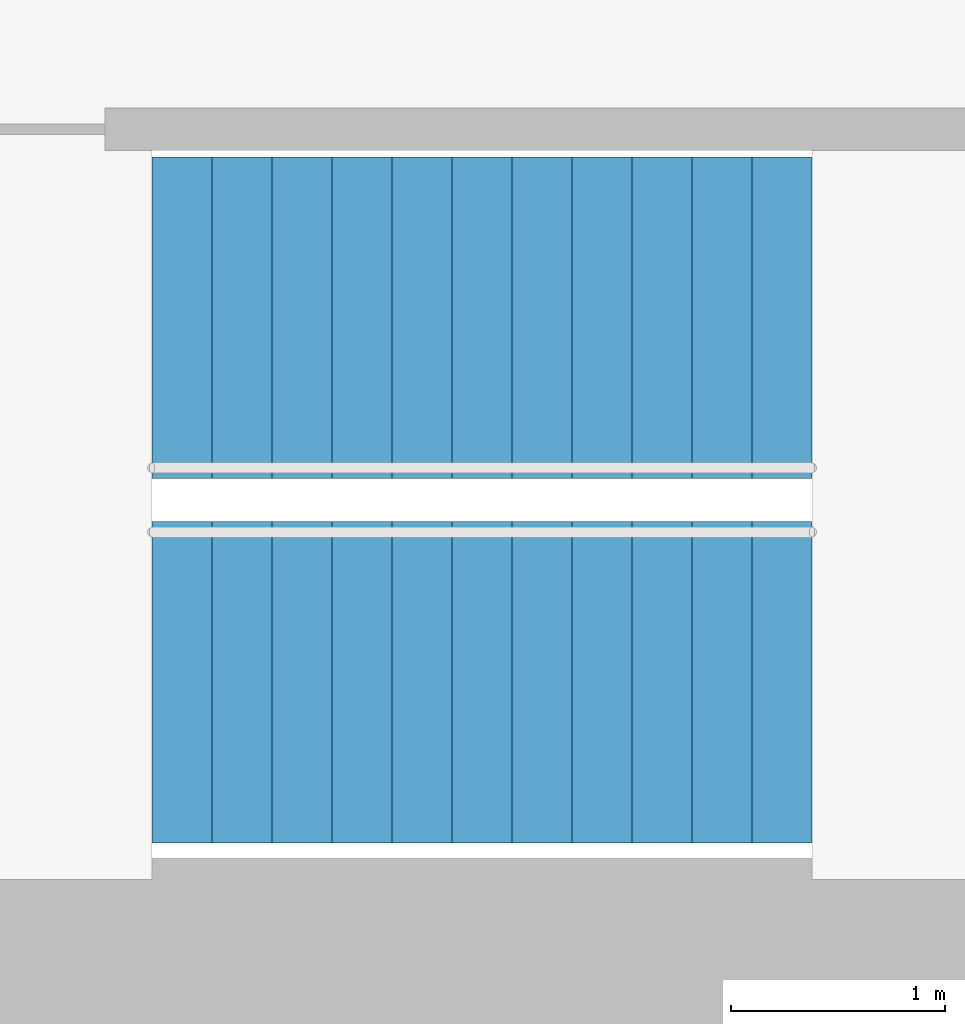
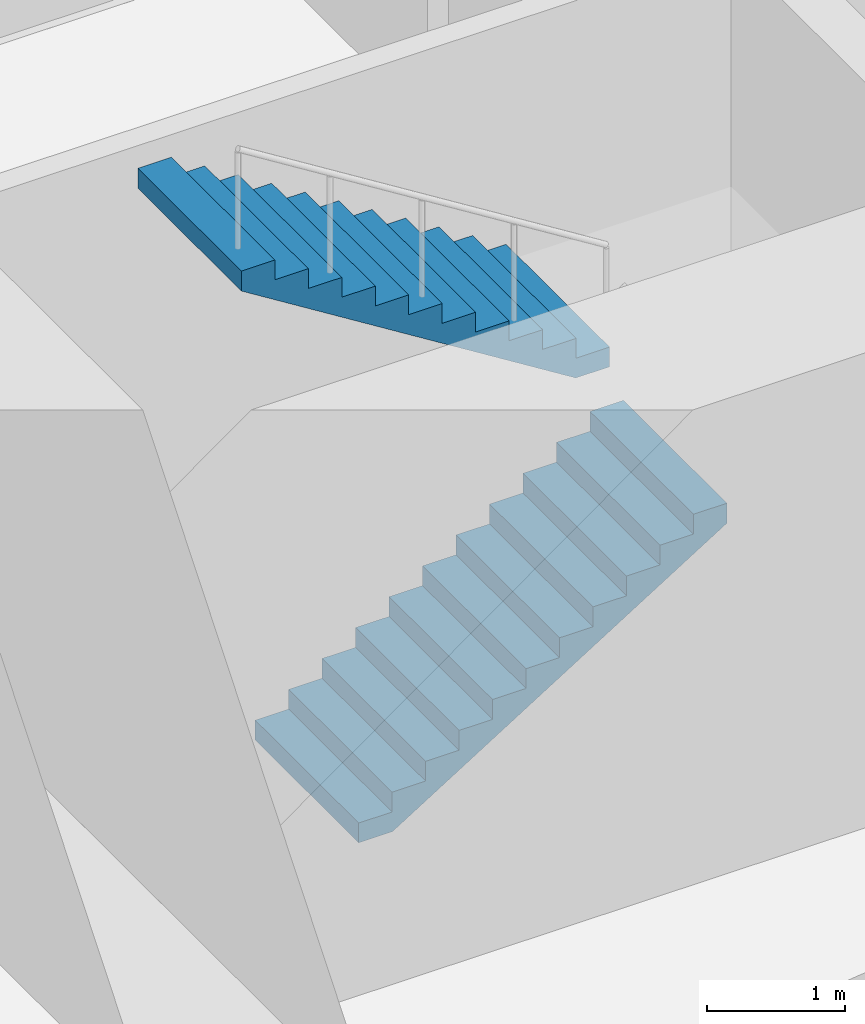
# One storey, part 16 of 18: 2 stair flights, 1 element without a shape of its own.
"""IFC4 building model written with IfcOpenShell, lengths in metres."""

from ifc_helpers import new_model, si_unit, direction, frame, origin, place, context, subcontext, project, spatial, triangles, material, type_object, element, aggregate, save


model = new_model("IFC4")

# Units and contexts
model_context = context("Model", 3, precision=1e-05, world=origin(), true_north=direction((0.0, 1.0)))
body_context = subcontext(model_context, "Body", "Model", "MODEL_VIEW")
ifc_project = project(units=[si_unit("LENGTHUNIT", "METRE"), si_unit("AREAUNIT", "SQUARE_METRE"), si_unit("VOLUMEUNIT", "CUBIC_METRE"), si_unit("PLANEANGLEUNIT", "RADIAN"), si_unit("MASSUNIT", "GRAM", prefix="KILO")], contexts=[model_context])

# Site, building, storey
site_placement = place(None, origin())
site = spatial("IfcSite", under=ifc_project, at=site_placement, CompositionType="ELEMENT")
building_placement = place(site_placement, origin())
building = spatial("IfcBuilding", under=site, at=building_placement, Name="Lantaw Convention Tower", CompositionType="ELEMENT")
storey_placement = place(building_placement, frame((0.0, 0.0, 134.199951171875)))
storey = spatial("IfcBuildingStorey", under=building, at=storey_placement, Name="L31", CompositionType="ELEMENT", Elevation=134.199951171875)

# Stair, stair flights
ifc_material = material(Name="Concrete C35/45", Category="concrete")
stair_type = type_object("IfcStairType", Name="Exit stair 1500 riser 175 in 2 flights", PredefinedType="HALF_TURN_STAIR", material=ifc_material)
stair_placement = place(storey_placement, origin())
stair = element("IfcStair", 1, at=stair_placement, inside=storey, type_object=stair_type, Name="Exit stair S1 L31", PredefinedType="HALF_TURN_STAIR")
stair_flight_type = type_object("IfcStairFlightType", Name="Stair flight 1500 riser 175", PredefinedType="STRAIGHT", material=ifc_material)
stair_flight_1_placement = place(storey_placement, frame((-10.580078125, -5.97998046875, 0.0), z_axis=(0.0, 0.0, 1.0), x_axis=(1.0, 0.0, 0.0)))
stair_flight_1 = element("IfcStairFlight", 2, at=stair_flight_1_placement, type_object=stair_flight_type, Name="S1 flight 1", NumberOfRisers=12, NumberOfTreads=11, PredefinedType="STRAIGHT", RiserHeight=0.175, TreadLength=0.28, context=body_context, shape_type="Tessellation", body=[
    triangles([(0.0, 0.75, 0.0), (0.0, 0.75, 0.175), (0.28, 0.75, 0.0), (0.28, 0.75, 0.175), (0.28, 0.75, 0.35), (0.28283517651771284, 0.75, 0.0), (0.28283517651771284, 0.75, 0.35), (0.56, 0.75, 0.17322801467642948), (0.56, 0.75, 0.35), (0.56, 0.75, 0.5249999999999999), (0.8400000000000001, 0.75, 0.34822801467642944), (0.8400000000000001, 0.75, 0.5249999999999999), (0.8400000000000001, 0.75, 0.7), (1.12, 0.75, 0.5232280146764294), (1.12, 0.75, 0.7), (1.12, 0.75, 0.875), (1.4000000000000001, 0.75, 0.6982280146764295), (1.4000000000000001, 0.75, 0.875), (1.4000000000000001, 0.75, 1.0499999999999998), (1.6800000000000002, 0.75, 0.8732280146764294), (1.6800000000000002, 0.75, 1.0499999999999998), (1.6800000000000002, 0.75, 1.2249999999999999), (1.9600000000000002, 0.75, 1.0482280146764293), (1.9600000000000002, 0.75, 1.2249999999999999), (1.9600000000000002, 0.75, 1.4), (2.24, 0.75, 1.2232280146764294), (2.24, 0.75, 1.4), (2.24, 0.75, 1.575), (2.5200000000000005, 0.75, 1.3982280146764294), (2.5200000000000005, 0.75, 1.575), (2.5200000000000005, 0.75, 1.75), (2.8000000000000003, 0.75, 1.5732280146764293), (2.8000000000000003, 0.75, 1.75), (2.8000000000000003, 0.75, 1.9249999999999998), (3.08, 0.75, 1.7482280146764293), (3.08, 0.75, 1.9249999999999998), (0.0, -0.75, 0.0), (0.0, -0.75, 0.175), (0.28, -0.75, 0.0), (0.28, -0.75, 0.175), (0.28, -0.75, 0.35), (0.28283517651771284, -0.75, 0.0), (0.28283517651771284, -0.75, 0.35), (0.56, -0.75, 0.17322801467642948), (0.56, -0.75, 0.35), (0.56, -0.75, 0.5249999999999999), (0.8400000000000001, -0.75, 0.34822801467642944), (0.8400000000000001, -0.75, 0.5249999999999999), (0.8400000000000001, -0.75, 0.7), (1.12, -0.75, 0.5232280146764294), (1.12, -0.75, 0.7), (1.12, -0.75, 0.875), (1.4000000000000001, -0.75, 0.6982280146764295), (1.4000000000000001, -0.75, 0.875), (1.4000000000000001, -0.75, 1.0499999999999998), (1.6800000000000002, -0.75, 0.8732280146764294), (1.6800000000000002, -0.75, 1.0499999999999998), (1.6800000000000002, -0.75, 1.2249999999999999), (1.9600000000000002, -0.75, 1.0482280146764293), (1.9600000000000002, -0.75, 1.2249999999999999), (1.9600000000000002, -0.75, 1.4), (2.24, -0.75, 1.2232280146764294), (2.24, -0.75, 1.4), (2.24, -0.75, 1.575), (2.5200000000000005, -0.75, 1.3982280146764294), (2.5200000000000005, -0.75, 1.575), (2.5200000000000005, -0.75, 1.75), (2.8000000000000003, -0.75, 1.5732280146764293), (2.8000000000000003, -0.75, 1.75), (2.8000000000000003, -0.75, 1.9249999999999998), (3.08, -0.75, 1.7482280146764293), (3.08, -0.75, 1.9249999999999998), (0.0, 0.15000000000000002, 0.175), (0.0, 0.15000000000000002, 0.0), (0.0, 0.0, 0.175), (0.0, 0.0, 0.0), (0.0, -0.15000000000000002, 0.175), (0.0, -0.15000000000000002, 0.0), (0.28, 0.15000000000000002, 0.35), (0.28, 0.15000000000000002, 0.175), (0.28, 0.0, 0.35), (0.28, 0.0, 0.175), (0.28, -0.15000000000000002, 0.35), (0.28, -0.15000000000000002, 0.175), (0.56, 0.15000000000000002, 0.5249999999999999), (0.56, 0.15000000000000002, 0.35), (0.56, 0.0, 0.5249999999999999), (0.56, 0.0, 0.35), (0.56, -0.15000000000000002, 0.5249999999999999), (0.56, -0.15000000000000002, 0.35), (0.8400000000000001, 0.15000000000000002, 0.7), (0.8400000000000001, 0.15000000000000002, 0.5249999999999999), (0.8400000000000001, 0.0, 0.7), (0.8400000000000001, 0.0, 0.5249999999999999), (0.8400000000000001, -0.15000000000000002, 0.7), (0.8400000000000001, -0.15000000000000002, 0.5249999999999999), (1.12, 0.15000000000000002, 0.875), (1.12, 0.15000000000000002, 0.7), (1.12, 0.0, 0.875), (1.12, 0.0, 0.7), (1.12, -0.15000000000000002, 0.875), (1.12, -0.15000000000000002, 0.7), (1.4000000000000001, 0.15000000000000002, 1.0499999999999998), (1.4000000000000001, 0.15000000000000002, 0.875), (1.4000000000000001, 0.0, 1.0499999999999998), (1.4000000000000001, 0.0, 0.875), (1.4000000000000001, -0.15000000000000002, 1.0499999999999998), (1.4000000000000001, -0.15000000000000002, 0.875), (1.6800000000000002, 0.15000000000000002, 1.2249999999999999), (1.6800000000000002, 0.15000000000000002, 1.0499999999999998), (1.6800000000000002, 0.0, 1.2249999999999999), (1.6800000000000002, 0.0, 1.0499999999999998), (1.6800000000000002, -0.15000000000000002, 1.2249999999999999), (1.6800000000000002, -0.15000000000000002, 1.0499999999999998), (1.9600000000000002, 0.15000000000000002, 1.4), (1.9600000000000002, 0.15000000000000002, 1.2249999999999999), (1.9600000000000002, 0.0, 1.4), (1.9600000000000002, 0.0, 1.2249999999999999), (1.9600000000000002, -0.15000000000000002, 1.4), (1.9600000000000002, -0.15000000000000002, 1.2249999999999999), (2.24, 0.15000000000000002, 1.575), (2.24, 0.15000000000000002, 1.4), (2.24, 0.0, 1.575), (2.24, 0.0, 1.4), (2.24, -0.15000000000000002, 1.575), (2.24, -0.15000000000000002, 1.4), (2.5200000000000005, 0.15000000000000002, 1.75), (2.5200000000000005, 0.15000000000000002, 1.575), (2.5200000000000005, 0.0, 1.75), (2.5200000000000005, 0.0, 1.575), (2.5200000000000005, -0.15000000000000002, 1.75), (2.5200000000000005, -0.15000000000000002, 1.575), (2.8000000000000003, 0.15000000000000002, 1.9249999999999998), (2.8000000000000003, 0.15000000000000002, 1.75), (2.8000000000000003, 0.0, 1.9249999999999998), (2.8000000000000003, 0.0, 1.75), (2.8000000000000003, -0.15000000000000002, 1.9249999999999998), (2.8000000000000003, -0.15000000000000002, 1.75), (0.28283517651771284, 0.15000000000000002, 0.35), (0.28283517651771284, 0.0, 0.35), (0.28283517651771284, -0.15000000000000002, 0.35), (3.08, 0.15000000000000002, 1.9249999999999998), (3.08, 0.0, 1.9249999999999998), (3.08, -0.15000000000000002, 1.9249999999999998), (3.08, 0.15000000000000002, 1.7482280146764293), (3.08, 0.0, 1.7482280146764293), (3.08, -0.15000000000000002, 1.7482280146764293), (2.8000000000000003, 0.15000000000000002, 1.5732280146764293), (2.8000000000000003, 0.0, 1.5732280146764293), (2.8000000000000003, -0.15000000000000002, 1.5732280146764293), (2.5200000000000005, 0.15000000000000002, 1.3982280146764294), (2.5200000000000005, 0.0, 1.3982280146764294), (2.5200000000000005, -0.15000000000000002, 1.3982280146764294), (2.24, 0.15000000000000002, 1.2232280146764294), (2.24, 0.0, 1.2232280146764294), (2.24, -0.15000000000000002, 1.2232280146764294), (1.9600000000000002, 0.15000000000000002, 1.0482280146764293), (1.9600000000000002, 0.0, 1.0482280146764293), (1.9600000000000002, -0.15000000000000002, 1.0482280146764293), (1.6800000000000002, 0.15000000000000002, 0.8732280146764294), (1.6800000000000002, 0.0, 0.8732280146764294), (1.6800000000000002, -0.15000000000000002, 0.8732280146764294), (1.4000000000000001, 0.15000000000000002, 0.6982280146764295), (1.4000000000000001, 0.0, 0.6982280146764295), (1.4000000000000001, -0.15000000000000002, 0.6982280146764295), (1.12, 0.15000000000000002, 0.5232280146764294), (1.12, 0.0, 0.5232280146764294), (1.12, -0.15000000000000002, 0.5232280146764294), (0.8400000000000001, 0.15000000000000002, 0.34822801467642944), (0.8400000000000001, 0.0, 0.34822801467642944), (0.8400000000000001, -0.15000000000000002, 0.34822801467642944), (0.56, 0.15000000000000002, 0.17322801467642948), (0.56, 0.0, 0.17322801467642948), (0.56, -0.15000000000000002, 0.17322801467642948), (0.28283517651771284, 0.15000000000000002, 0.0), (0.28283517651771284, 0.0, 0.0), (0.28283517651771284, -0.15000000000000002, 0.0), (0.28, 0.15000000000000002, 0.0), (0.28, 0.0, 0.0), (0.28, -0.15000000000000002, 0.0)], [[1, 4, 3], [1, 2, 4], [3, 4, 6], [4, 7, 6], [4, 5, 7], [6, 9, 8], [6, 7, 9], [8, 9, 11], [9, 12, 11], [9, 10, 12], [11, 12, 14], [12, 15, 14], [12, 13, 15], [14, 15, 17], [15, 18, 17], [15, 16, 18], [17, 18, 20], [18, 21, 20], [18, 19, 21], [20, 21, 23], [21, 24, 23], [21, 22, 24], [23, 24, 26], [24, 27, 26], [24, 25, 27], [26, 27, 29], [27, 30, 29], [27, 28, 30], [29, 30, 32], [30, 33, 32], [30, 31, 33], [32, 33, 35], [33, 36, 35], [33, 34, 36], [37, 39, 40], [37, 40, 38], [39, 42, 40], [40, 42, 43], [40, 43, 41], [42, 44, 45], [42, 45, 43], [44, 47, 45], [45, 47, 48], [45, 48, 46], [47, 50, 48], [48, 50, 51], [48, 51, 49], [50, 53, 51], [51, 53, 54], [51, 54, 52], [53, 56, 54], [54, 56, 57], [54, 57, 55], [56, 59, 57], [57, 59, 60], [57, 60, 58], [59, 62, 60], [60, 62, 63], [60, 63, 61], [62, 65, 63], [63, 65, 66], [63, 66, 64], [65, 68, 66], [66, 68, 69], [66, 69, 67], [68, 71, 69], [69, 71, 72], [69, 72, 70], [1, 73, 2], [1, 74, 73], [74, 75, 73], [74, 76, 75], [76, 77, 75], [76, 78, 77], [78, 38, 77], [78, 37, 38], [4, 79, 5], [4, 80, 79], [80, 81, 79], [80, 82, 81], [82, 83, 81], [82, 84, 83], [84, 41, 83], [84, 40, 41], [9, 85, 10], [9, 86, 85], [86, 87, 85], [86, 88, 87], [88, 89, 87], [88, 90, 89], [90, 46, 89], [90, 45, 46], [12, 91, 13], [12, 92, 91], [92, 93, 91], [92, 94, 93], [94, 95, 93], [94, 96, 95], [96, 49, 95], [96, 48, 49], [15, 97, 16], [15, 98, 97], [98, 99, 97], [98, 100, 99], [100, 101, 99], [100, 102, 101], [102, 52, 101], [102, 51, 52], [18, 103, 19], [18, 104, 103], [104, 105, 103], [104, 106, 105], [106, 107, 105], [106, 108, 107], [108, 55, 107], [108, 54, 55], [21, 109, 22], [21, 110, 109], [110, 111, 109], [110, 112, 111], [112, 113, 111], [112, 114, 113], [114, 58, 113], [114, 57, 58], [24, 115, 25], [24, 116, 115], [116, 117, 115], [116, 118, 117], [118, 119, 117], [118, 120, 119], [120, 61, 119], [120, 60, 61], [27, 121, 28], [27, 122, 121], [122, 123, 121], [122, 124, 123], [124, 125, 123], [124, 126, 125], [126, 64, 125], [126, 63, 64], [30, 127, 31], [30, 128, 127], [128, 129, 127], [128, 130, 129], [130, 131, 129], [130, 132, 131], [132, 67, 131], [132, 66, 67], [33, 133, 34], [33, 134, 133], [134, 135, 133], [134, 136, 135], [136, 137, 135], [136, 138, 137], [138, 70, 137], [138, 69, 70], [2, 80, 4], [2, 73, 80], [73, 82, 80], [73, 75, 82], [75, 84, 82], [75, 77, 84], [77, 40, 84], [77, 38, 40], [5, 139, 7], [5, 79, 139], [79, 140, 139], [79, 81, 140], [81, 141, 140], [81, 83, 141], [83, 43, 141], [83, 41, 43], [7, 86, 9], [7, 139, 86], [139, 88, 86], [139, 140, 88], [140, 90, 88], [140, 141, 90], [141, 45, 90], [141, 43, 45], [10, 92, 12], [10, 85, 92], [85, 94, 92], [85, 87, 94], [87, 96, 94], [87, 89, 96], [89, 48, 96], [89, 46, 48], [13, 98, 15], [13, 91, 98], [91, 100, 98], [91, 93, 100], [93, 102, 100], [93, 95, 102], [95, 51, 102], [95, 49, 51], [16, 104, 18], [16, 97, 104], [97, 106, 104], [97, 99, 106], [99, 108, 106], [99, 101, 108], [101, 54, 108], [101, 52, 54], [19, 110, 21], [19, 103, 110], [103, 112, 110], [103, 105, 112], [105, 114, 112], [105, 107, 114], [107, 57, 114], [107, 55, 57], [22, 116, 24], [22, 109, 116], [109, 118, 116], [109, 111, 118], [111, 120, 118], [111, 113, 120], [113, 60, 120], [113, 58, 60], [25, 122, 27], [25, 115, 122], [115, 124, 122], [115, 117, 124], [117, 126, 124], [117, 119, 126], [119, 63, 126], [119, 61, 63], [28, 128, 30], [28, 121, 128], [121, 130, 128], [121, 123, 130], [123, 132, 130], [123, 125, 132], [125, 66, 132], [125, 64, 66], [31, 134, 33], [31, 127, 134], [127, 136, 134], [127, 129, 136], [129, 138, 136], [129, 131, 138], [131, 69, 138], [131, 67, 69], [34, 142, 36], [34, 133, 142], [133, 143, 142], [133, 135, 143], [135, 144, 143], [135, 137, 144], [137, 72, 144], [137, 70, 72], [36, 145, 35], [36, 142, 145], [142, 146, 145], [142, 143, 146], [143, 147, 146], [143, 144, 147], [144, 71, 147], [144, 72, 71], [35, 148, 32], [35, 145, 148], [145, 149, 148], [145, 146, 149], [146, 150, 149], [146, 147, 150], [147, 68, 150], [147, 71, 68], [32, 151, 29], [32, 148, 151], [148, 152, 151], [148, 149, 152], [149, 153, 152], [149, 150, 153], [150, 65, 153], [150, 68, 65], [29, 154, 26], [29, 151, 154], [151, 155, 154], [151, 152, 155], [152, 156, 155], [152, 153, 156], [153, 62, 156], [153, 65, 62], [26, 157, 23], [26, 154, 157], [154, 158, 157], [154, 155, 158], [155, 159, 158], [155, 156, 159], [156, 59, 159], [156, 62, 59], [23, 160, 20], [23, 157, 160], [157, 161, 160], [157, 158, 161], [158, 162, 161], [158, 159, 162], [159, 56, 162], [159, 59, 56], [20, 163, 17], [20, 160, 163], [160, 164, 163], [160, 161, 164], [161, 165, 164], [161, 162, 165], [162, 53, 165], [162, 56, 53], [17, 166, 14], [17, 163, 166], [163, 167, 166], [163, 164, 167], [164, 168, 167], [164, 165, 168], [165, 50, 168], [165, 53, 50], [14, 169, 11], [14, 166, 169], [166, 170, 169], [166, 167, 170], [167, 171, 170], [167, 168, 171], [168, 47, 171], [168, 50, 47], [11, 172, 8], [11, 169, 172], [169, 173, 172], [169, 170, 173], [170, 174, 173], [170, 171, 174], [171, 44, 174], [171, 47, 44], [8, 175, 6], [8, 172, 175], [172, 176, 175], [172, 173, 176], [173, 177, 176], [173, 174, 177], [174, 42, 177], [174, 44, 42], [6, 178, 3], [6, 175, 178], [175, 179, 178], [175, 176, 179], [176, 180, 179], [176, 177, 180], [177, 39, 180], [177, 42, 39], [3, 74, 1], [3, 178, 74], [178, 76, 74], [178, 179, 76], [179, 78, 76], [179, 180, 78], [180, 37, 78], [180, 39, 37]], closed=True),
])
stair_flight_2_placement = place(storey_placement, frame((-7.5, -4.280029296875, 2.10009765625), z_axis=(0.0, 0.0, 1.0), x_axis=(-1.0, 0.0, 0.0)))
stair_flight_2 = element("IfcStairFlight", 3, at=stair_flight_2_placement, type_object=stair_flight_type, Name="S1 flight 2", NumberOfRisers=12, NumberOfTreads=11, PredefinedType="STRAIGHT", RiserHeight=0.175, TreadLength=0.28, context=body_context, shape_type="Tessellation", body=[
    triangles([(0.0, 0.75, 0.0), (0.0, 0.75, 0.175), (0.28, 0.75, 0.0), (0.28, 0.75, 0.175), (0.28, 0.75, 0.35), (0.28283517651771284, 0.75, 0.0), (0.28283517651771284, 0.75, 0.35), (0.56, 0.75, 0.17322801467642948), (0.56, 0.75, 0.35), (0.56, 0.75, 0.5249999999999999), (0.8400000000000001, 0.75, 0.34822801467642944), (0.8400000000000001, 0.75, 0.5249999999999999), (0.8400000000000001, 0.75, 0.7), (1.12, 0.75, 0.5232280146764294), (1.12, 0.75, 0.7), (1.12, 0.75, 0.875), (1.4000000000000001, 0.75, 0.6982280146764295), (1.4000000000000001, 0.75, 0.875), (1.4000000000000001, 0.75, 1.0499999999999998), (1.6800000000000002, 0.75, 0.8732280146764294), (1.6800000000000002, 0.75, 1.0499999999999998), (1.6800000000000002, 0.75, 1.2249999999999999), (1.9600000000000002, 0.75, 1.0482280146764293), (1.9600000000000002, 0.75, 1.2249999999999999), (1.9600000000000002, 0.75, 1.4), (2.24, 0.75, 1.2232280146764294), (2.24, 0.75, 1.4), (2.24, 0.75, 1.575), (2.5200000000000005, 0.75, 1.3982280146764294), (2.5200000000000005, 0.75, 1.575), (2.5200000000000005, 0.75, 1.75), (2.8000000000000003, 0.75, 1.5732280146764293), (2.8000000000000003, 0.75, 1.75), (2.8000000000000003, 0.75, 1.9249999999999998), (3.08, 0.75, 1.7482280146764293), (3.08, 0.75, 1.9249999999999998), (0.0, -0.75, 0.0), (0.0, -0.75, 0.175), (0.28, -0.75, 0.0), (0.28, -0.75, 0.175), (0.28, -0.75, 0.35), (0.28283517651771284, -0.75, 0.0), (0.28283517651771284, -0.75, 0.35), (0.56, -0.75, 0.17322801467642948), (0.56, -0.75, 0.35), (0.56, -0.75, 0.5249999999999999), (0.8400000000000001, -0.75, 0.34822801467642944), (0.8400000000000001, -0.75, 0.5249999999999999), (0.8400000000000001, -0.75, 0.7), (1.12, -0.75, 0.5232280146764294), (1.12, -0.75, 0.7), (1.12, -0.75, 0.875), (1.4000000000000001, -0.75, 0.6982280146764295), (1.4000000000000001, -0.75, 0.875), (1.4000000000000001, -0.75, 1.0499999999999998), (1.6800000000000002, -0.75, 0.8732280146764294), (1.6800000000000002, -0.75, 1.0499999999999998), (1.6800000000000002, -0.75, 1.2249999999999999), (1.9600000000000002, -0.75, 1.0482280146764293), (1.9600000000000002, -0.75, 1.2249999999999999), (1.9600000000000002, -0.75, 1.4), (2.24, -0.75, 1.2232280146764294), (2.24, -0.75, 1.4), (2.24, -0.75, 1.575), (2.5200000000000005, -0.75, 1.3982280146764294), (2.5200000000000005, -0.75, 1.575), (2.5200000000000005, -0.75, 1.75), (2.8000000000000003, -0.75, 1.5732280146764293), (2.8000000000000003, -0.75, 1.75), (2.8000000000000003, -0.75, 1.9249999999999998), (3.08, -0.75, 1.7482280146764293), (3.08, -0.75, 1.9249999999999998), (0.0, 0.15000000000000002, 0.175), (0.0, 0.15000000000000002, 0.0), (0.0, 0.0, 0.175), (0.0, 0.0, 0.0), (0.0, -0.15000000000000002, 0.175), (0.0, -0.15000000000000002, 0.0), (0.28, 0.15000000000000002, 0.35), (0.28, 0.15000000000000002, 0.175), (0.28, 0.0, 0.35), (0.28, 0.0, 0.175), (0.28, -0.15000000000000002, 0.35), (0.28, -0.15000000000000002, 0.175), (0.56, 0.15000000000000002, 0.5249999999999999), (0.56, 0.15000000000000002, 0.35), (0.56, 0.0, 0.5249999999999999), (0.56, 0.0, 0.35), (0.56, -0.15000000000000002, 0.5249999999999999), (0.56, -0.15000000000000002, 0.35), (0.8400000000000001, 0.15000000000000002, 0.7), (0.8400000000000001, 0.15000000000000002, 0.5249999999999999), (0.8400000000000001, 0.0, 0.7), (0.8400000000000001, 0.0, 0.5249999999999999), (0.8400000000000001, -0.15000000000000002, 0.7), (0.8400000000000001, -0.15000000000000002, 0.5249999999999999), (1.12, 0.15000000000000002, 0.875), (1.12, 0.15000000000000002, 0.7), (1.12, 0.0, 0.875), (1.12, 0.0, 0.7), (1.12, -0.15000000000000002, 0.875), (1.12, -0.15000000000000002, 0.7), (1.4000000000000001, 0.15000000000000002, 1.0499999999999998), (1.4000000000000001, 0.15000000000000002, 0.875), (1.4000000000000001, 0.0, 1.0499999999999998), (1.4000000000000001, 0.0, 0.875), (1.4000000000000001, -0.15000000000000002, 1.0499999999999998), (1.4000000000000001, -0.15000000000000002, 0.875), (1.6800000000000002, 0.15000000000000002, 1.2249999999999999), (1.6800000000000002, 0.15000000000000002, 1.0499999999999998), (1.6800000000000002, 0.0, 1.2249999999999999), (1.6800000000000002, 0.0, 1.0499999999999998), (1.6800000000000002, -0.15000000000000002, 1.2249999999999999), (1.6800000000000002, -0.15000000000000002, 1.0499999999999998), (1.9600000000000002, 0.15000000000000002, 1.4), (1.9600000000000002, 0.15000000000000002, 1.2249999999999999), (1.9600000000000002, 0.0, 1.4), (1.9600000000000002, 0.0, 1.2249999999999999), (1.9600000000000002, -0.15000000000000002, 1.4), (1.9600000000000002, -0.15000000000000002, 1.2249999999999999), (2.24, 0.15000000000000002, 1.575), (2.24, 0.15000000000000002, 1.4), (2.24, 0.0, 1.575), (2.24, 0.0, 1.4), (2.24, -0.15000000000000002, 1.575), (2.24, -0.15000000000000002, 1.4), (2.5200000000000005, 0.15000000000000002, 1.75), (2.5200000000000005, 0.15000000000000002, 1.575), (2.5200000000000005, 0.0, 1.75), (2.5200000000000005, 0.0, 1.575), (2.5200000000000005, -0.15000000000000002, 1.75), (2.5200000000000005, -0.15000000000000002, 1.575), (2.8000000000000003, 0.15000000000000002, 1.9249999999999998), (2.8000000000000003, 0.15000000000000002, 1.75), (2.8000000000000003, 0.0, 1.9249999999999998), (2.8000000000000003, 0.0, 1.75), (2.8000000000000003, -0.15000000000000002, 1.9249999999999998), (2.8000000000000003, -0.15000000000000002, 1.75), (0.28283517651771284, 0.15000000000000002, 0.35), (0.28283517651771284, 0.0, 0.35), (0.28283517651771284, -0.15000000000000002, 0.35), (3.08, 0.15000000000000002, 1.9249999999999998), (3.08, 0.0, 1.9249999999999998), (3.08, -0.15000000000000002, 1.9249999999999998), (3.08, 0.15000000000000002, 1.7482280146764293), (3.08, 0.0, 1.7482280146764293), (3.08, -0.15000000000000002, 1.7482280146764293), (2.8000000000000003, 0.15000000000000002, 1.5732280146764293), (2.8000000000000003, 0.0, 1.5732280146764293), (2.8000000000000003, -0.15000000000000002, 1.5732280146764293), (2.5200000000000005, 0.15000000000000002, 1.3982280146764294), (2.5200000000000005, 0.0, 1.3982280146764294), (2.5200000000000005, -0.15000000000000002, 1.3982280146764294), (2.24, 0.15000000000000002, 1.2232280146764294), (2.24, 0.0, 1.2232280146764294), (2.24, -0.15000000000000002, 1.2232280146764294), (1.9600000000000002, 0.15000000000000002, 1.0482280146764293), (1.9600000000000002, 0.0, 1.0482280146764293), (1.9600000000000002, -0.15000000000000002, 1.0482280146764293), (1.6800000000000002, 0.15000000000000002, 0.8732280146764294), (1.6800000000000002, 0.0, 0.8732280146764294), (1.6800000000000002, -0.15000000000000002, 0.8732280146764294), (1.4000000000000001, 0.15000000000000002, 0.6982280146764295), (1.4000000000000001, 0.0, 0.6982280146764295), (1.4000000000000001, -0.15000000000000002, 0.6982280146764295), (1.12, 0.15000000000000002, 0.5232280146764294), (1.12, 0.0, 0.5232280146764294), (1.12, -0.15000000000000002, 0.5232280146764294), (0.8400000000000001, 0.15000000000000002, 0.34822801467642944), (0.8400000000000001, 0.0, 0.34822801467642944), (0.8400000000000001, -0.15000000000000002, 0.34822801467642944), (0.56, 0.15000000000000002, 0.17322801467642948), (0.56, 0.0, 0.17322801467642948), (0.56, -0.15000000000000002, 0.17322801467642948), (0.28283517651771284, 0.15000000000000002, 0.0), (0.28283517651771284, 0.0, 0.0), (0.28283517651771284, -0.15000000000000002, 0.0), (0.28, 0.15000000000000002, 0.0), (0.28, 0.0, 0.0), (0.28, -0.15000000000000002, 0.0)], [[1, 4, 3], [1, 2, 4], [3, 4, 6], [4, 7, 6], [4, 5, 7], [6, 9, 8], [6, 7, 9], [8, 9, 11], [9, 12, 11], [9, 10, 12], [11, 12, 14], [12, 15, 14], [12, 13, 15], [14, 15, 17], [15, 18, 17], [15, 16, 18], [17, 18, 20], [18, 21, 20], [18, 19, 21], [20, 21, 23], [21, 24, 23], [21, 22, 24], [23, 24, 26], [24, 27, 26], [24, 25, 27], [26, 27, 29], [27, 30, 29], [27, 28, 30], [29, 30, 32], [30, 33, 32], [30, 31, 33], [32, 33, 35], [33, 36, 35], [33, 34, 36], [37, 39, 40], [37, 40, 38], [39, 42, 40], [40, 42, 43], [40, 43, 41], [42, 44, 45], [42, 45, 43], [44, 47, 45], [45, 47, 48], [45, 48, 46], [47, 50, 48], [48, 50, 51], [48, 51, 49], [50, 53, 51], [51, 53, 54], [51, 54, 52], [53, 56, 54], [54, 56, 57], [54, 57, 55], [56, 59, 57], [57, 59, 60], [57, 60, 58], [59, 62, 60], [60, 62, 63], [60, 63, 61], [62, 65, 63], [63, 65, 66], [63, 66, 64], [65, 68, 66], [66, 68, 69], [66, 69, 67], [68, 71, 69], [69, 71, 72], [69, 72, 70], [1, 73, 2], [1, 74, 73], [74, 75, 73], [74, 76, 75], [76, 77, 75], [76, 78, 77], [78, 38, 77], [78, 37, 38], [4, 79, 5], [4, 80, 79], [80, 81, 79], [80, 82, 81], [82, 83, 81], [82, 84, 83], [84, 41, 83], [84, 40, 41], [9, 85, 10], [9, 86, 85], [86, 87, 85], [86, 88, 87], [88, 89, 87], [88, 90, 89], [90, 46, 89], [90, 45, 46], [12, 91, 13], [12, 92, 91], [92, 93, 91], [92, 94, 93], [94, 95, 93], [94, 96, 95], [96, 49, 95], [96, 48, 49], [15, 97, 16], [15, 98, 97], [98, 99, 97], [98, 100, 99], [100, 101, 99], [100, 102, 101], [102, 52, 101], [102, 51, 52], [18, 103, 19], [18, 104, 103], [104, 105, 103], [104, 106, 105], [106, 107, 105], [106, 108, 107], [108, 55, 107], [108, 54, 55], [21, 109, 22], [21, 110, 109], [110, 111, 109], [110, 112, 111], [112, 113, 111], [112, 114, 113], [114, 58, 113], [114, 57, 58], [24, 115, 25], [24, 116, 115], [116, 117, 115], [116, 118, 117], [118, 119, 117], [118, 120, 119], [120, 61, 119], [120, 60, 61], [27, 121, 28], [27, 122, 121], [122, 123, 121], [122, 124, 123], [124, 125, 123], [124, 126, 125], [126, 64, 125], [126, 63, 64], [30, 127, 31], [30, 128, 127], [128, 129, 127], [128, 130, 129], [130, 131, 129], [130, 132, 131], [132, 67, 131], [132, 66, 67], [33, 133, 34], [33, 134, 133], [134, 135, 133], [134, 136, 135], [136, 137, 135], [136, 138, 137], [138, 70, 137], [138, 69, 70], [2, 80, 4], [2, 73, 80], [73, 82, 80], [73, 75, 82], [75, 84, 82], [75, 77, 84], [77, 40, 84], [77, 38, 40], [5, 139, 7], [5, 79, 139], [79, 140, 139], [79, 81, 140], [81, 141, 140], [81, 83, 141], [83, 43, 141], [83, 41, 43], [7, 86, 9], [7, 139, 86], [139, 88, 86], [139, 140, 88], [140, 90, 88], [140, 141, 90], [141, 45, 90], [141, 43, 45], [10, 92, 12], [10, 85, 92], [85, 94, 92], [85, 87, 94], [87, 96, 94], [87, 89, 96], [89, 48, 96], [89, 46, 48], [13, 98, 15], [13, 91, 98], [91, 100, 98], [91, 93, 100], [93, 102, 100], [93, 95, 102], [95, 51, 102], [95, 49, 51], [16, 104, 18], [16, 97, 104], [97, 106, 104], [97, 99, 106], [99, 108, 106], [99, 101, 108], [101, 54, 108], [101, 52, 54], [19, 110, 21], [19, 103, 110], [103, 112, 110], [103, 105, 112], [105, 114, 112], [105, 107, 114], [107, 57, 114], [107, 55, 57], [22, 116, 24], [22, 109, 116], [109, 118, 116], [109, 111, 118], [111, 120, 118], [111, 113, 120], [113, 60, 120], [113, 58, 60], [25, 122, 27], [25, 115, 122], [115, 124, 122], [115, 117, 124], [117, 126, 124], [117, 119, 126], [119, 63, 126], [119, 61, 63], [28, 128, 30], [28, 121, 128], [121, 130, 128], [121, 123, 130], [123, 132, 130], [123, 125, 132], [125, 66, 132], [125, 64, 66], [31, 134, 33], [31, 127, 134], [127, 136, 134], [127, 129, 136], [129, 138, 136], [129, 131, 138], [131, 69, 138], [131, 67, 69], [34, 142, 36], [34, 133, 142], [133, 143, 142], [133, 135, 143], [135, 144, 143], [135, 137, 144], [137, 72, 144], [137, 70, 72], [36, 145, 35], [36, 142, 145], [142, 146, 145], [142, 143, 146], [143, 147, 146], [143, 144, 147], [144, 71, 147], [144, 72, 71], [35, 148, 32], [35, 145, 148], [145, 149, 148], [145, 146, 149], [146, 150, 149], [146, 147, 150], [147, 68, 150], [147, 71, 68], [32, 151, 29], [32, 148, 151], [148, 152, 151], [148, 149, 152], [149, 153, 152], [149, 150, 153], [150, 65, 153], [150, 68, 65], [29, 154, 26], [29, 151, 154], [151, 155, 154], [151, 152, 155], [152, 156, 155], [152, 153, 156], [153, 62, 156], [153, 65, 62], [26, 157, 23], [26, 154, 157], [154, 158, 157], [154, 155, 158], [155, 159, 158], [155, 156, 159], [156, 59, 159], [156, 62, 59], [23, 160, 20], [23, 157, 160], [157, 161, 160], [157, 158, 161], [158, 162, 161], [158, 159, 162], [159, 56, 162], [159, 59, 56], [20, 163, 17], [20, 160, 163], [160, 164, 163], [160, 161, 164], [161, 165, 164], [161, 162, 165], [162, 53, 165], [162, 56, 53], [17, 166, 14], [17, 163, 166], [163, 167, 166], [163, 164, 167], [164, 168, 167], [164, 165, 168], [165, 50, 168], [165, 53, 50], [14, 169, 11], [14, 166, 169], [166, 170, 169], [166, 167, 170], [167, 171, 170], [167, 168, 171], [168, 47, 171], [168, 50, 47], [11, 172, 8], [11, 169, 172], [169, 173, 172], [169, 170, 173], [170, 174, 173], [170, 171, 174], [171, 44, 174], [171, 47, 44], [8, 175, 6], [8, 172, 175], [172, 176, 175], [172, 173, 176], [173, 177, 176], [173, 174, 177], [174, 42, 177], [174, 44, 42], [6, 178, 3], [6, 175, 178], [175, 179, 178], [175, 176, 179], [176, 180, 179], [176, 177, 180], [177, 39, 180], [177, 42, 39], [3, 74, 1], [3, 178, 74], [178, 76, 74], [178, 179, 76], [179, 78, 76], [179, 180, 78], [180, 37, 78], [180, 39, 37]], closed=True),
])
aggregate(stair, [stair_flight_1, stair_flight_2])

save(model, "model.ifc")
